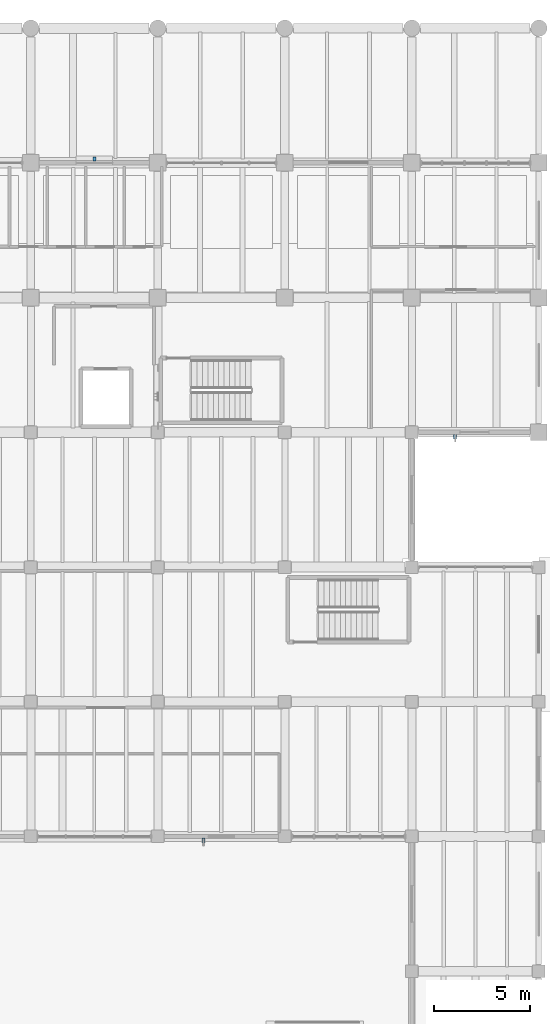
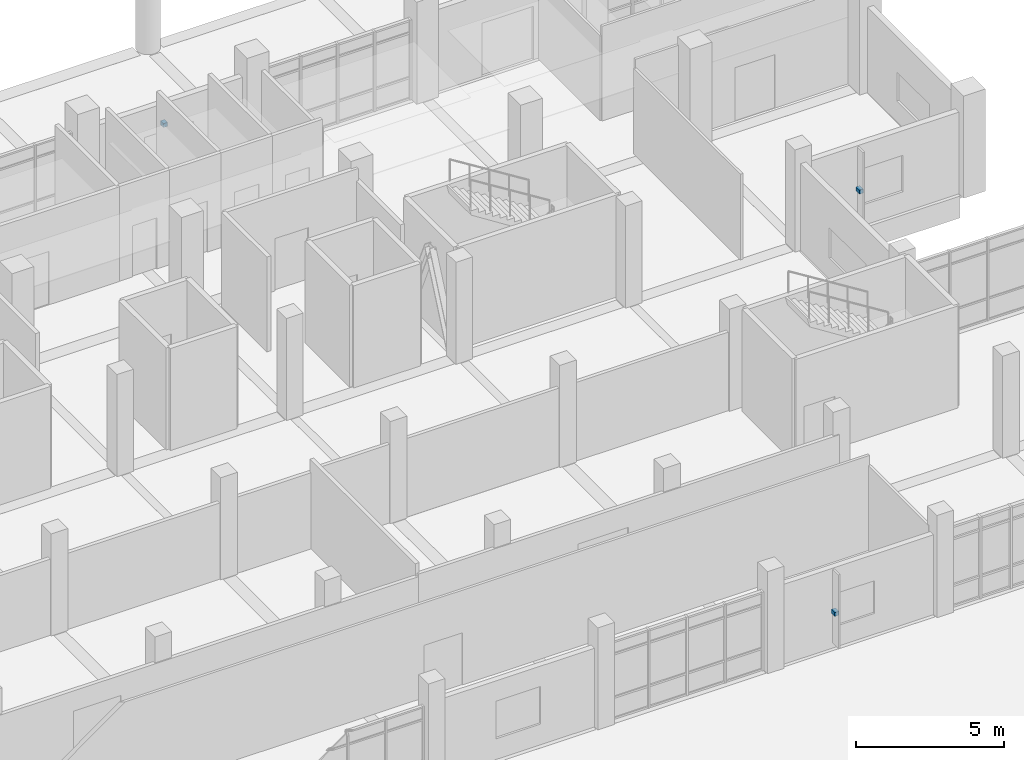
# One storey, part 57 of 69: 3 discrete accessories.
"""IFC4 building model written with IfcOpenShell, lengths in metres."""

from ifc_helpers import new_model, si_unit, direction, frame, origin, origin_2d, place, context, subcontext, project, spatial, rectangle, extrude, material, type_object, element, save


model = new_model("IFC4")

# Units and contexts
model_context = context("Model", 3, precision=1e-05, world=origin(), true_north=direction((0.0, 1.0)))
body_context = subcontext(model_context, "Body", "Model", "MODEL_VIEW")
ifc_project = project(units=[si_unit("LENGTHUNIT", "METRE"), si_unit("AREAUNIT", "SQUARE_METRE"), si_unit("VOLUMEUNIT", "CUBIC_METRE"), si_unit("PLANEANGLEUNIT", "RADIAN"), si_unit("MASSUNIT", "GRAM", prefix="KILO")], contexts=[model_context])

# Site, building, storey
site_placement = place(None, origin())
site = spatial("IfcSite", under=ifc_project, at=site_placement, CompositionType="ELEMENT")
building_placement = place(site_placement, origin())
building = spatial("IfcBuilding", under=site, at=building_placement, Name="Ciguamira Faculty of Natural Sciences", CompositionType="ELEMENT")
storey_placement = place(building_placement, origin())
storey = spatial("IfcBuildingStorey", under=building, at=storey_placement, Name="L00", CompositionType="ELEMENT", Elevation=0.0)

# Discrete accessories
ifc_material = material(Name="Stainless steel fixing bracket", Category="steel")
discrete_accessory_type = type_object("IfcDiscreteAccessoryType", Name="FacadeBracket_BK01", PredefinedType="BRACKET", material=ifc_material)
for number, where, z_axis, x_axis, name in (
    (1, (99.27490234375, 72.7900390625, 1.44482421875), (0.0, 0.0, 1.0), (1.0, 0.0, 0.0), "L00 sunshade fixing bracket 0007"),
    (2, (112.35009765625, 93.780029296875, 1.52001953125), (0.0, 0.0, 1.0), (1.0, 0.0, 0.0), "L00 sunshade fixing bracket 0008"),
):
    element("IfcDiscreteAccessory", number, at=place(storey_placement, frame(where, z_axis=z_axis, x_axis=x_axis)), inside=storey, type_object=discrete_accessory_type, Name=name, PredefinedType="BRACKET", context=body_context, shape_type="SweptSolid", body=[
        extrude(rectangle(XDim=0.159912109375, YDim=0.239990234375, at=origin_2d()), origin(), (0.0, 0.0, 1.0), 0.159912109375),
    ])
discrete_accessory_placement = place(storey_placement, frame((93.60009765625, 108.199951171875, 2.06982421875), z_axis=(0.0, 0.0, 1.0), x_axis=(1.0, 0.0, 0.0)))
element("IfcDiscreteAccessory", 3, at=discrete_accessory_placement, inside=storey, type_object=discrete_accessory_type, Name="L00 sunshade fixing bracket 0009", PredefinedType="BRACKET", context=body_context, shape_type="SweptSolid", body=[
    extrude(rectangle(XDim=0.159912109375, YDim=0.199951171875, at=origin_2d()), origin(), (0.0, 0.0, 1.0), 0.159912109375),
])

save(model, "model.ifc")
